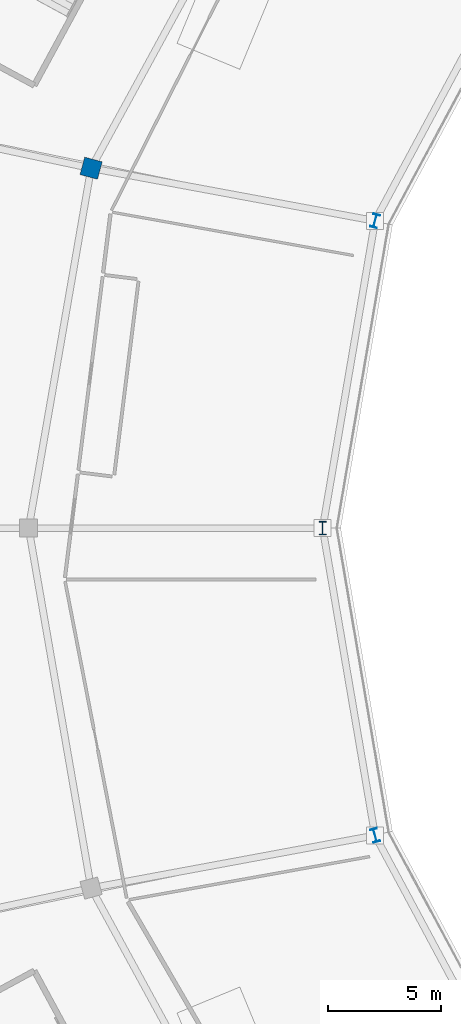
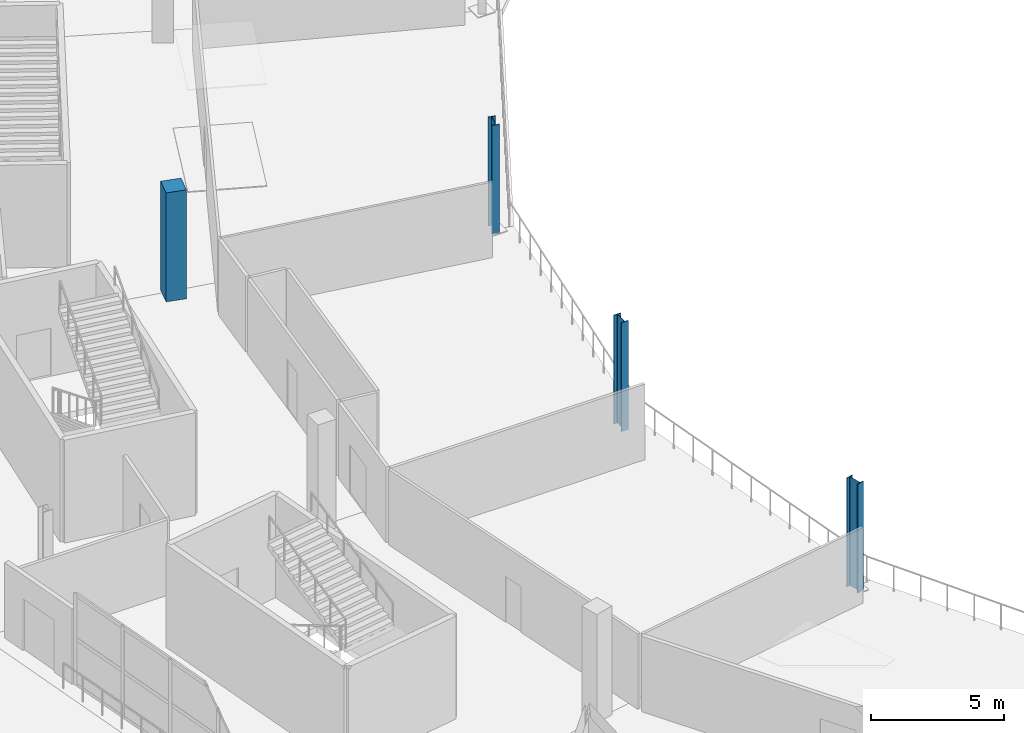
# One storey, part 8 of 179: 4 columns.
"""IFC4 building model written with IfcOpenShell, lengths in metres."""

from ifc_helpers import new_model, si_unit, direction, frame, origin, origin_2d, place, context, subcontext, project, spatial, rectangle, i_section, extrude, material, material_profile, profile_set, type_object, element, save


model = new_model("IFC4")

# Units and contexts
model_context = context("Model", 3, precision=1e-05, world=origin(), true_north=direction((0.0, 1.0)))
body_context = subcontext(model_context, "Body", "Model", "MODEL_VIEW")
ifc_project = project(units=[si_unit("LENGTHUNIT", "METRE"), si_unit("AREAUNIT", "SQUARE_METRE"), si_unit("VOLUMEUNIT", "CUBIC_METRE"), si_unit("PLANEANGLEUNIT", "RADIAN"), si_unit("MASSUNIT", "GRAM", prefix="KILO")], contexts=[model_context])

# Site, building, storey
site_placement = place(None, origin())
site = spatial("IfcSite", under=ifc_project, at=site_placement, CompositionType="ELEMENT")
building_placement = place(site_placement, origin())
building = spatial("IfcBuilding", under=site, at=building_placement, Name="Zlatoyarsky Gate Stadium", CompositionType="ELEMENT")
storey_placement = place(building_placement, frame((0.0, 0.0, 10.60009765625)))
storey = spatial("IfcBuildingStorey", under=building, at=storey_placement, Name="L02", CompositionType="ELEMENT", Elevation=10.60009765625)

# Columns
ifc_material_1 = material(Name="Concrete C40/50", Category="concrete")
ifc_material_profile_1 = material_profile(ifc_material_1, rectangle(XDim=0.800048828125, YDim=0.800048828125, at=origin_2d()), Name="RC COL 800X800")
ifc_profile_set_1 = profile_set([ifc_material_profile_1], Name="Concrete C40/50")
column_type_1 = type_object("IfcColumnType", Name="CONCRETE COLUMN 800X800", PredefinedType="COLUMN", material=ifc_profile_set_1)
column_placement = place(storey_placement, frame((32.760009765625, 95.91748046875, 0.0), z_axis=(0.0, 0.0, 1.0), x_axis=(-0.965925826289, 0.258819045103, 0.0)))
element("IfcColumn", 1, at=column_placement, inside=storey, type_object=column_type_1, Name="Column RC-C80 RB-11 on L02", PredefinedType="COLUMN", context=body_context, shape_type="SweptSolid", body=[
    extrude(rectangle(XDim=0.800048828125, YDim=0.800048828125, at=origin_2d()), origin(), (0.0, 0.0, 1.0), 5.0),
])
ifc_material_2 = material(Name="Steel S355", Category="steel")
ifc_material_profile_2 = material_profile(ifc_material_2, i_section(OverallWidth=0.300048828125, OverallDepth=0.60009765625, WebThickness=0.015380859375, FlangeThickness=0.030029296875, FilletRadius=0.027099609375, at=origin_2d()), Name="HEB 600")
ifc_profile_set_2 = profile_set([ifc_material_profile_2], Name="Steel S355")
column_type_2 = type_object("IfcColumnType", Name="STEEL COLUMN HEB 600", PredefinedType="COLUMN", material=ifc_profile_set_2)
for number, where, z_axis, x_axis, name in (
    (2, (45.31689453125, 93.587890625, 0.0), (0.0, 0.0, 1.0), (-0.965925826289, 0.258819045103, 0.0), "Column ST-C600 RA-11 on L02"),
    (3, (43.0, 80.0, 0.0), (0.0, 0.0, 1.0), (-1.0, 0.0, 0.0), "Column ST-C600 RA-12 on L02"),
    (4, (45.31689453125, 66.412109375, 0.0), (0.0, 0.0, 1.0), (-0.965925826289, -0.258819045103, 0.0), "Column ST-C600 RA-13 on L02"),
):
    element("IfcColumn", number, at=place(storey_placement, frame(where, z_axis=z_axis, x_axis=x_axis)), inside=storey, type_object=column_type_2, Name=name, PredefinedType="COLUMN", context=body_context, shape_type="SweptSolid", body=[
        extrude(i_section(OverallWidth=0.300048828125, OverallDepth=0.60009765625, WebThickness=0.015380859375, FlangeThickness=0.030029296875, FilletRadius=0.027099609375, at=origin_2d()), origin(), (0.0, 0.0, 1.0), 5.0),
    ])

save(model, "model.ifc")
